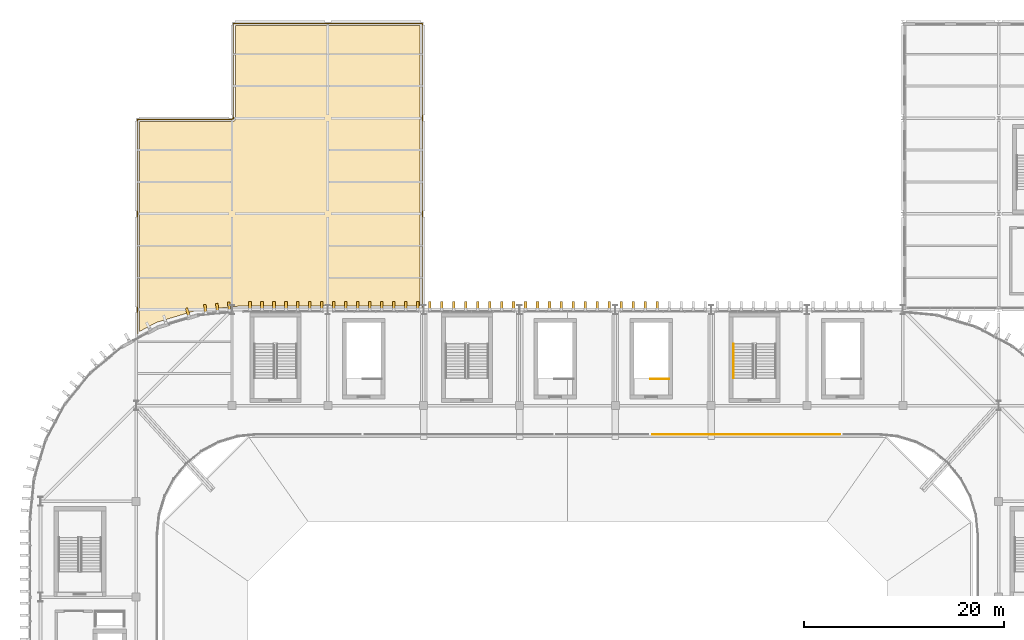
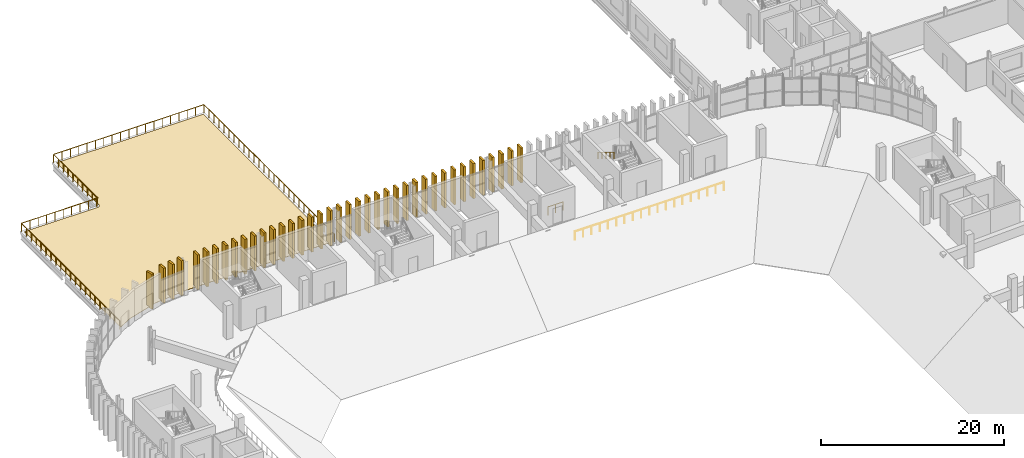
# One storey, part 65 of 69: 40 coverings, 4 railings.
"""IFC4 building model written with IfcOpenShell, lengths in metres."""

from ifc_helpers import new_model, si_unit, direction, frame, origin, origin_2d, place, context, subcontext, project, spatial, polyline, rectangle, circle, outline, extrude, material, layer, layer_set, material_profile, profile_set, type_object, element, save


model = new_model("IFC4")

# Units and contexts
model_context = context("Model", 3, precision=1e-05, world=origin(), true_north=direction((0.0, 1.0)))
body_context = subcontext(model_context, "Body", "Model", "MODEL_VIEW")
ifc_project = project(units=[si_unit("LENGTHUNIT", "METRE"), si_unit("AREAUNIT", "SQUARE_METRE"), si_unit("VOLUMEUNIT", "CUBIC_METRE"), si_unit("PLANEANGLEUNIT", "RADIAN"), si_unit("MASSUNIT", "GRAM", prefix="KILO")], contexts=[model_context])

# Site, building, storey
site_placement = place(None, origin())
site = spatial("IfcSite", under=ifc_project, at=site_placement, CompositionType="ELEMENT")
building_placement = place(site_placement, origin())
building = spatial("IfcBuilding", under=site, at=building_placement, Name="Caelomonte Colonnade Arena", CompositionType="ELEMENT")
storey_placement = place(building_placement, frame((0.0, 0.0, 18.60009765625)))
storey = spatial("IfcBuildingStorey", under=building, at=storey_placement, Name="L04", CompositionType="ELEMENT", Elevation=18.60009765625)

# Coverings
ifc_material_1 = material(Name="Travertine colonnade arrival paving", Category="masonry")
ifc_layer = layer(ifc_material_1, 0.0400390625)
ifc_layer_set = layer_set([ifc_layer], Name="Travertine colonnade arrival paving")
covering_type_1 = type_object("IfcCoveringType", Name="ENV-CV-PAV25", PredefinedType="FLOORING", material=ifc_layer_set)
covering_placement = place(storey_placement, origin())
element("IfcCovering", 1, at=covering_placement, inside=storey, type_object=covering_type_1, Name="North-West Hospitality Terrace travertine terrace paving 4", PredefinedType="FLOORING", context=body_context, shape_type="SweptSolid", body=[
    extrude(outline(polyline([(95.64990234375, 115.550048828125), (95.64990234375, 143.64990234375), (77.14990234375, 143.64990234375), (77.14990234375, 134.39990234375), (77.148193359375, 134.36572265625), (77.143310546875, 134.331787109375), (77.135009765625, 134.29833984375), (77.123291015625, 134.26611328125), (77.108642578125, 134.235107421875), (77.091064453125, 134.20556640625), (77.070556640625, 134.177978515625), (77.047607421875, 134.152587890625), (77.02197265625, 134.12939453125), (76.994384765625, 134.10888671875), (76.965087890625, 134.09130859375), (76.933837890625, 134.07666015625), (76.901611328125, 134.065185546875), (76.868408203125, 134.056640625), (76.834228515625, 134.0517578125), (76.800048828125, 134.050048828125), (67.550048828125, 134.050048828125), (67.550048828125, 113.029052734375), (69.198486328125, 113.91015625), (69.229736328125, 113.9248046875), (69.261962890625, 113.936279296875), (73.201416015625, 115.13134765625), (73.23486328125, 115.139892578125), (73.268798828125, 115.144775390625), (77.36572265625, 115.54833984375), (77.39990234375, 115.550048828125), (95.64990234375, 115.550048828125)])), origin(), (0.0, 0.0, 1.0), 0.039794921875),
])
ifc_material_2 = material(Name="Precast travertine cladding", Category="masonry")
ifc_material_profile = material_profile(ifc_material_2, rectangle(XDim=0.260009765625, YDim=0.85009765625, at=origin_2d()), Name="FIN260X850")
ifc_profile_set = profile_set([ifc_material_profile], Name="Precast travertine cladding")
covering_type_2 = type_object("IfcCoveringType", Name="ENV-FN-SHAFT", PredefinedType="CLADDING", material=ifc_profile_set)
for number, where, z_axis, x_axis, name in (
    (2, (119.39990234375, 115.62109375, -0.16015625), (0.0, 0.0, 1.0), (1.0, 0.0, 0.0), "V1 L04 classical travertine vertical fin 112"),
    (3, (118.199951171875, 115.62109375, -0.16015625), (0.0, 0.0, 1.0), (1.0, 0.0, 0.0), "V1 L04 classical travertine vertical fin 113"),
    (4, (117.0, 115.62109375, -0.16015625), (0.0, 0.0, 1.0), (1.0, 0.0, 0.0), "V1 L04 classical travertine vertical fin 114"),
    (5, (115.800048828125, 115.62109375, -0.16015625), (0.0, 0.0, 1.0), (1.0, 0.0, 0.0), "V1 L04 classical travertine vertical fin 115"),
    (6, (114.60009765625, 115.62109375, -0.16015625), (0.0, 0.0, 1.0), (1.0, 0.0, 0.0), "V1 L04 classical travertine vertical fin 116"),
    (7, (113.39990234375, 115.62109375, -0.16015625), (0.0, 0.0, 1.0), (1.0, 0.0, 0.0), "V1 L04 classical travertine vertical fin 117"),
    (8, (112.199951171875, 115.62109375, -0.16015625), (0.0, 0.0, 1.0), (1.0, 0.0, 0.0), "V1 L04 classical travertine vertical fin 118"),
    (9, (111.0, 115.62109375, -0.16015625), (0.0, 0.0, 1.0), (1.0, 0.0, 0.0), "V1 L04 classical travertine vertical fin 119"),
    (10, (109.800048828125, 115.62109375, -0.16015625), (0.0, 0.0, 1.0), (1.0, 0.0, 0.0), "V1 L04 classical travertine vertical fin 120"),
    (11, (108.60009765625, 115.62109375, -0.16015625), (0.0, 0.0, 1.0), (1.0, 0.0, 0.0), "V1 L04 classical travertine vertical fin 121"),
    (12, (107.39990234375, 115.62109375, -0.16015625), (0.0, 0.0, 1.0), (1.0, 0.0, 0.0), "V1 L04 classical travertine vertical fin 122"),
    (13, (106.199951171875, 115.62109375, -0.16015625), (0.0, 0.0, 1.0), (1.0, 0.0, 0.0), "V1 L04 classical travertine vertical fin 123"),
    (14, (105.0, 115.62109375, -0.16015625), (0.0, 0.0, 1.0), (1.0, 0.0, 0.0), "V1 L04 classical travertine vertical fin 124"),
    (15, (103.800048828125, 115.62109375, -0.16015625), (0.0, 0.0, 1.0), (1.0, 0.0, 0.0), "V1 L04 classical travertine vertical fin 125"),
    (16, (102.60009765625, 115.62109375, -0.16015625), (0.0, 0.0, 1.0), (1.0, 0.0, 0.0), "V1 L04 classical travertine vertical fin 126"),
    (17, (101.39990234375, 115.62109375, -0.16015625), (0.0, 0.0, 1.0), (1.0, 0.0, 0.0), "V1 L04 classical travertine vertical fin 127"),
    (18, (100.199951171875, 115.62109375, -0.16015625), (0.0, 0.0, 1.0), (1.0, 0.0, 0.0), "V1 L04 classical travertine vertical fin 128"),
    (19, (99.0, 115.62109375, -0.16015625), (0.0, 0.0, 1.0), (1.0, 0.0, 0.0), "V1 L04 classical travertine vertical fin 129"),
    (20, (97.800048828125, 115.62109375, -0.16015625), (0.0, 0.0, 1.0), (1.0, 0.0, 0.0), "V1 L04 classical travertine vertical fin 130"),
    (21, (96.60009765625, 115.62109375, -0.16015625), (0.0, 0.0, 1.0), (1.0, 0.0, 0.0), "V1 L04 classical travertine vertical fin 131"),
    (22, (95.39990234375, 115.62109375, -0.16015625), (0.0, 0.0, 1.0), (1.0, 0.0, 0.0), "V1 L04 classical travertine vertical fin 132"),
    (23, (94.199951171875, 115.62109375, -0.16015625), (0.0, 0.0, 1.0), (1.0, 0.0, 0.0), "V1 L04 classical travertine vertical fin 133"),
    (24, (93.0, 115.62109375, -0.16015625), (0.0, 0.0, 1.0), (1.0, 0.0, 0.0), "V1 L04 classical travertine vertical fin 134"),
    (25, (91.800048828125, 115.62109375, -0.16015625), (0.0, 0.0, 1.0), (1.0, 0.0, 0.0), "V1 L04 classical travertine vertical fin 135"),
    (26, (90.60009765625, 115.62109375, -0.16015625), (0.0, 0.0, 1.0), (1.0, 0.0, 0.0), "V1 L04 classical travertine vertical fin 136"),
    (27, (89.39990234375, 115.62109375, -0.16015625), (0.0, 0.0, 1.0), (1.0, 0.0, 0.0), "V1 L04 classical travertine vertical fin 137"),
    (28, (88.199951171875, 115.62109375, -0.16015625), (0.0, 0.0, 1.0), (1.0, 0.0, 0.0), "V1 L04 classical travertine vertical fin 138"),
    (29, (87.0, 115.62109375, -0.16015625), (0.0, 0.0, 1.0), (1.0, 0.0, 0.0), "V1 L04 classical travertine vertical fin 139"),
    (30, (85.800048828125, 115.62109375, -0.16015625), (0.0, 0.0, 1.0), (1.0, 0.0, 0.0), "V1 L04 classical travertine vertical fin 140"),
    (31, (84.60009765625, 115.62109375, -0.16015625), (0.0, 0.0, 1.0), (1.0, 0.0, 0.0), "V1 L04 classical travertine vertical fin 141"),
    (32, (83.39990234375, 115.62109375, -0.16015625), (0.0, 0.0, 1.0), (1.0, 0.0, 0.0), "V1 L04 classical travertine vertical fin 142"),
    (33, (82.199951171875, 115.62109375, -0.16015625), (0.0, 0.0, 1.0), (1.0, 0.0, 0.0), "V1 L04 classical travertine vertical fin 143"),
    (34, (81.0, 115.62109375, -0.16015625), (0.0, 0.0, 1.0), (1.0, 0.0, 0.0), "V1 L04 classical travertine vertical fin 144"),
    (35, (79.800048828125, 115.62109375, -0.16015625), (0.0, 0.0, 1.0), (1.0, 0.0, 0.0), "V1 L04 classical travertine vertical fin 145"),
    (36, (78.60009765625, 115.62109375, -0.16015625), (0.0, 0.0, 1.0), (1.0, 0.0, 0.0), "V1 L04 classical travertine vertical fin 146"),
    (37, (76.50439453125, 115.534912109375, -0.16015625), (0.0, 0.0, 1.0), (0.995184897743, 0.098015403404, 0.0), "V1 L04 classical travertine vertical fin 147"),
    (38, (75.310302734375, 115.417236328125, -0.16015625), (0.0, 0.0, 1.0), (0.995184897743, 0.098015403404, 0.0), "V1 L04 classical travertine vertical fin 148"),
    (39, (74.1162109375, 115.299560546875, -0.16015625), (0.0, 0.0, 1.0), (0.995184897743, 0.098015403404, 0.0), "V1 L04 classical travertine vertical fin 149"),
    (40, (72.359619140625, 114.9501953125, -0.16015625), (0.0, 0.0, 1.0), (0.956942868907, 0.290276326364, 0.0), "V1 L04 classical travertine vertical fin 150"),
):
    element("IfcCovering", number, at=place(storey_placement, frame(where, z_axis=z_axis, x_axis=x_axis)), inside=storey, type_object=covering_type_2, Name=name, PredefinedType="CLADDING", context=body_context, shape_type="SweptSolid", body=[
        extrude(rectangle(XDim=0.260009765625, YDim=0.85009765625, at=origin_2d()), origin(), (0.0, 0.0, 1.0), 4.66015625),
    ])

# Railings
ifc_material_3 = material(Name="Travertine limestone and bronze balustrade", Category="masonry")
railing_type_1 = type_object("IfcRailingType", Name="ENV-RL-BAL1", PredefinedType="BALUSTRADE", material=ifc_material_3)
railing_1_placement = place(storey_placement, frame((67.320068359375, 112.82666015625, 0.0)))
element("IfcRailing", 41, at=railing_1_placement, inside=storey, type_object=railing_type_1, Name="North-West Hospitality Terrace perimeter guard 1", PredefinedType="BALUSTRADE", context=body_context, shape_type="SweptSolid", body=[
    extrude(circle(Radius=0.02392578125, at=origin_2d()), frame((0.0, 0.0, 1.09619140625), z_axis=(0.0, 1.0, 0.0), x_axis=(-1.0, 0.0, 0.0)), (0.0, 0.0, 1.0), 21.422119140625),
    extrude(circle(Radius=0.02392578125, at=origin_2d()), frame((0.03125, 21.453369140625, 1.09619140625), z_axis=(1.0, 0.0, 0.0), x_axis=(0.0, 1.0, 0.0)), (0.0, 0.0, 1.0), 9.41748046875),
    extrude(circle(Radius=0.02392578125, at=origin_2d()), frame((9.51123046875, 21.45458984375, 1.09619140625), z_axis=(0.999133073092, 0.041630544712, 0.0), x_axis=(-0.041630544712, 0.999133073092, 0.0)), (0.0, 0.0, 1.0), 0.050048828125),
    extrude(circle(Radius=0.02392578125, at=origin_2d()), frame((9.522705078125, 21.458251953125, 1.09619140625), z_axis=(0.989532981063, 0.144306893072, 0.0), x_axis=(-0.144306893072, 0.989532981063, 0.0)), (0.0, 0.0, 1.0), 0.050048828125),
    extrude(circle(Radius=0.02392578125, at=origin_2d()), frame((9.53369140625, 21.46337890625, 1.09619140625), z_axis=(0.967617272397, 0.252421897147, 0.0), x_axis=(-0.252421897147, 0.967617272397, 0.0)), (0.0, 0.0, 1.0), 0.050048828125),
    extrude(circle(Radius=0.02392578125, at=origin_2d()), frame((9.544189453125, 21.46875, 1.09619140625), z_axis=(0.944496796706, 0.328520624941, 0.0), x_axis=(-0.328520624941, 0.944496796706, 0.0)), (0.0, 0.0, 1.0), 0.050048828125),
    extrude(circle(Radius=0.02392578125, at=origin_2d()), frame((9.55419921875, 21.475830078125, 1.09619140625), z_axis=(0.902481037784, 0.430729586215, 0.0), x_axis=(-0.430729586215, 0.902481037784, 0.0)), (0.0, 0.0, 1.0), 0.050048828125),
    extrude(circle(Radius=0.02392578125, at=origin_2d()), frame((9.563232421875, 21.48388671875, 1.09619140625), z_axis=(0.853796175794, 0.520607424265, 0.0), x_axis=(-0.520607424265, 0.853796175794, 0.0)), (0.0, 0.0, 1.0), 0.050048828125),
    extrude(circle(Radius=0.02392578125, at=origin_2d()), frame((9.572021484375, 21.491943359375, 1.09619140625), z_axis=(0.812323733592, 0.583206783091, 0.0), x_axis=(-0.583206783091, 0.812323733592, 0.0)), (0.0, 0.0, 1.0), 0.050048828125),
    extrude(circle(Radius=0.02392578125, at=origin_2d()), frame((9.5791015625, 21.501708984375, 1.09619140625), z_axis=(0.737154140201, 0.675724628517, 0.0), x_axis=(-0.675724628517, 0.737154140201, 0.0)), (0.0, 0.0, 1.0), 0.050048828125),
    extrude(circle(Radius=0.02392578125, at=origin_2d()), frame((9.585693359375, 21.511962890625, 1.09619140625), z_axis=(0.66436383883, 0.747409318684, 0.0), x_axis=(-0.747409318684, 0.66436383883, 0.0)), (0.0, 0.0, 1.0), 0.050048828125),
    extrude(circle(Radius=0.02392578125, at=origin_2d()), frame((9.591796875, 21.522216796875, 1.09619140625), z_axis=(0.60667331935, 0.794951246045, 0.0), x_axis=(-0.794951246045, 0.60667331935, 0.0)), (0.0, 0.0, 1.0), 0.050048828125),
    extrude(circle(Radius=0.02392578125, at=origin_2d()), frame((9.595458984375, 21.53369140625, 1.09619140625), z_axis=(0.496138938357, 0.868243142124, 0.0), x_axis=(-0.868243142124, 0.496138938357, 0.0)), (0.0, 0.0, 1.0), 0.050048828125),
    extrude(circle(Radius=0.02392578125, at=origin_2d()), frame((9.599365234375, 21.544921875, 1.09619140625), z_axis=(0.438835298505, 0.898567515986, 0.0), x_axis=(-0.898567515986, 0.438835298505, 0.0)), (0.0, 0.0, 1.0), 0.050048828125),
    extrude(circle(Radius=0.02392578125, at=origin_2d()), frame((9.60107421875, 21.556884765625, 1.09619140625), z_axis=(0.328520624941, 0.944496796706, 0.0), x_axis=(-0.944496796706, 0.328520624941, 0.0)), (0.0, 0.0, 1.0), 0.050048828125),
    extrude(circle(Radius=0.02392578125, at=origin_2d()), frame((9.6025390625, 21.56884765625, 1.09619140625), z_axis=(0.247383245266, 0.968917710624, 0.0), x_axis=(-0.968917710624, 0.247383245266, 0.0)), (0.0, 0.0, 1.0), 0.050048828125),
    extrude(circle(Radius=0.02392578125, at=origin_2d()), frame((9.602294921875, 21.5810546875, 1.09619140625), z_axis=(0.147311303089, 0.989090177882, 0.0), x_axis=(-0.989090177882, 0.147311303089, 0.0)), (0.0, 0.0, 1.0), 0.050048828125),
    extrude(circle(Radius=0.02392578125, at=origin_2d()), frame((9.6005859375, 21.5927734375, 1.09619140625), z_axis=(0.041630544712, 0.999133073092, 0.0), x_axis=(-0.999133073092, 0.041630544712, 0.0)), (0.0, 0.0, 1.0), 0.050048828125),
    extrude(circle(Radius=0.02392578125, at=origin_2d()), frame((9.599853515625, 21.6044921875, 1.09619140625), z_axis=(0.0, 1.0, 0.0), x_axis=(-1.0, 0.0, 0.0)), (0.0, 0.0, 1.0), 9.41748046875),
    extrude(circle(Radius=0.02392578125, at=origin_2d()), frame((9.631103515625, 31.05322265625, 1.09619140625), z_axis=(1.0, 0.0, 0.0), x_axis=(0.0, 1.0, 0.0)), (0.0, 0.0, 1.0), 18.8974609375),
    extrude(circle(Radius=0.02392578125, at=origin_2d()), frame((28.559814453125, 31.02197265625, 1.09619140625), z_axis=(0.0, -1.0, 0.0), x_axis=(1.0, 0.0, 0.0)), (0.0, 0.0, 1.0), 28.36865234375),
    extrude(circle(Radius=0.02099609375, at=origin_2d()), origin(), (0.0, 0.0, 1.0), 1.068115234375),
    extrude(circle(Radius=0.02099609375, at=origin_2d()), frame((0.0, 1.07275390625, 0.0)), (0.0, 0.0, 1.0), 1.068115234375),
    extrude(circle(Radius=0.02099609375, at=origin_2d()), frame((0.0, 2.145263671875, 0.0)), (0.0, 0.0, 1.0), 1.068115234375),
    extrude(circle(Radius=0.02099609375, at=origin_2d()), frame((0.0, 3.218017578125, 0.0)), (0.0, 0.0, 1.0), 1.068115234375),
    extrude(circle(Radius=0.02099609375, at=origin_2d()), frame((0.0, 4.290771484375, 0.0)), (0.0, 0.0, 1.0), 1.068115234375),
    extrude(circle(Radius=0.02099609375, at=origin_2d()), frame((0.0, 5.36328125, 0.0)), (0.0, 0.0, 1.0), 1.068115234375),
    extrude(circle(Radius=0.02099609375, at=origin_2d()), frame((0.0, 6.43603515625, 0.0)), (0.0, 0.0, 1.0), 1.068115234375),
    extrude(circle(Radius=0.02099609375, at=origin_2d()), frame((0.0, 7.5087890625, 0.0)), (0.0, 0.0, 1.0), 1.068115234375),
    extrude(circle(Radius=0.02099609375, at=origin_2d()), frame((0.0, 8.581298828125, 0.0)), (0.0, 0.0, 1.0), 1.068115234375),
    extrude(circle(Radius=0.02099609375, at=origin_2d()), frame((0.0, 9.654052734375, 0.0)), (0.0, 0.0, 1.0), 1.068115234375),
    extrude(circle(Radius=0.02099609375, at=origin_2d()), frame((0.0, 10.7265625, 0.0)), (0.0, 0.0, 1.0), 1.068115234375),
    extrude(circle(Radius=0.02099609375, at=origin_2d()), frame((0.0, 11.79931640625, 0.0)), (0.0, 0.0, 1.0), 1.068115234375),
    extrude(circle(Radius=0.02099609375, at=origin_2d()), frame((0.0, 12.8720703125, 0.0)), (0.0, 0.0, 1.0), 1.068115234375),
    extrude(circle(Radius=0.02099609375, at=origin_2d()), frame((0.0, 13.944580078125, 0.0)), (0.0, 0.0, 1.0), 1.068115234375),
    extrude(circle(Radius=0.02099609375, at=origin_2d()), frame((0.0, 15.017333984375, 0.0)), (0.0, 0.0, 1.0), 1.068115234375),
    extrude(circle(Radius=0.02099609375, at=origin_2d()), frame((0.0, 16.090087890625, 0.0)), (0.0, 0.0, 1.0), 1.068115234375),
    extrude(circle(Radius=0.02099609375, at=origin_2d()), frame((0.0, 17.16259765625, 0.0)), (0.0, 0.0, 1.0), 1.068115234375),
    extrude(circle(Radius=0.02099609375, at=origin_2d()), frame((0.0, 18.2353515625, 0.0)), (0.0, 0.0, 1.0), 1.068115234375),
    extrude(circle(Radius=0.02099609375, at=origin_2d()), frame((0.0, 19.30810546875, 0.0)), (0.0, 0.0, 1.0), 1.068115234375),
    extrude(circle(Radius=0.02099609375, at=origin_2d()), frame((0.0, 20.380615234375, 0.0)), (0.0, 0.0, 1.0), 1.068115234375),
    extrude(circle(Radius=0.02099609375, at=origin_2d()), frame((0.0, 21.453369140625, 0.0)), (0.0, 0.0, 1.0), 1.068115234375),
    extrude(circle(Radius=0.02099609375, at=origin_2d()), frame((1.05322265625, 21.453369140625, 0.0)), (0.0, 0.0, 1.0), 1.068115234375),
    extrude(circle(Radius=0.02099609375, at=origin_2d()), frame((2.106689453125, 21.453369140625, 0.0)), (0.0, 0.0, 1.0), 1.068115234375),
    extrude(circle(Radius=0.02099609375, at=origin_2d()), frame((3.159912109375, 21.453369140625, 0.0)), (0.0, 0.0, 1.0), 1.068115234375),
    extrude(circle(Radius=0.02099609375, at=origin_2d()), frame((4.21337890625, 21.453369140625, 0.0)), (0.0, 0.0, 1.0), 1.068115234375),
    extrude(circle(Radius=0.02099609375, at=origin_2d()), frame((5.2666015625, 21.453369140625, 0.0)), (0.0, 0.0, 1.0), 1.068115234375),
    extrude(circle(Radius=0.02099609375, at=origin_2d()), frame((6.320068359375, 21.453369140625, 0.0)), (0.0, 0.0, 1.0), 1.068115234375),
    extrude(circle(Radius=0.02099609375, at=origin_2d()), frame((7.373291015625, 21.453369140625, 0.0)), (0.0, 0.0, 1.0), 1.068115234375),
    extrude(circle(Radius=0.02099609375, at=origin_2d()), frame((8.4267578125, 21.453369140625, 0.0)), (0.0, 0.0, 1.0), 1.068115234375),
    extrude(circle(Radius=0.02099609375, at=origin_2d()), frame((9.47998046875, 21.453369140625, 0.0)), (0.0, 0.0, 1.0), 1.068115234375),
    extrude(circle(Radius=0.02099609375, at=origin_2d()), frame((9.53662109375, 21.467529296875, 0.0)), (0.0, 0.0, 1.0), 1.068115234375),
    extrude(circle(Radius=0.02099609375, at=origin_2d()), frame((9.579833984375, 21.506591796875, 0.0)), (0.0, 0.0, 1.0), 1.068115234375),
    extrude(circle(Radius=0.02099609375, at=origin_2d()), frame((9.599365234375, 21.5615234375, 0.0)), (0.0, 0.0, 1.0), 1.068115234375),
    extrude(circle(Radius=0.02099609375, at=origin_2d()), frame((9.599853515625, 22.62646484375, 0.0)), (0.0, 0.0, 1.0), 1.068115234375),
    extrude(circle(Radius=0.02099609375, at=origin_2d()), frame((9.599853515625, 23.679931640625, 0.0)), (0.0, 0.0, 1.0), 1.068115234375),
    extrude(circle(Radius=0.02099609375, at=origin_2d()), frame((9.599853515625, 24.733154296875, 0.0)), (0.0, 0.0, 1.0), 1.068115234375),
    extrude(circle(Radius=0.02099609375, at=origin_2d()), frame((9.599853515625, 25.78662109375, 0.0)), (0.0, 0.0, 1.0), 1.068115234375),
    extrude(circle(Radius=0.02099609375, at=origin_2d()), frame((9.599853515625, 26.83984375, 0.0)), (0.0, 0.0, 1.0), 1.068115234375),
    extrude(circle(Radius=0.02099609375, at=origin_2d()), frame((9.599853515625, 27.893310546875, 0.0)), (0.0, 0.0, 1.0), 1.068115234375),
    extrude(circle(Radius=0.02099609375, at=origin_2d()), frame((9.599853515625, 28.946533203125, 0.0)), (0.0, 0.0, 1.0), 1.068115234375),
    extrude(circle(Radius=0.02099609375, at=origin_2d()), frame((9.599853515625, 30.0, 0.0)), (0.0, 0.0, 1.0), 1.068115234375),
    extrude(circle(Radius=0.02099609375, at=origin_2d()), frame((9.599853515625, 31.05322265625, 0.0)), (0.0, 0.0, 1.0), 1.068115234375),
    extrude(circle(Radius=0.02099609375, at=origin_2d()), frame((10.653076171875, 31.05322265625, 0.0)), (0.0, 0.0, 1.0), 1.068115234375),
    extrude(circle(Radius=0.02099609375, at=origin_2d()), frame((11.70654296875, 31.05322265625, 0.0)), (0.0, 0.0, 1.0), 1.068115234375),
    extrude(circle(Radius=0.02099609375, at=origin_2d()), frame((12.759765625, 31.05322265625, 0.0)), (0.0, 0.0, 1.0), 1.068115234375),
    extrude(circle(Radius=0.02099609375, at=origin_2d()), frame((13.813232421875, 31.05322265625, 0.0)), (0.0, 0.0, 1.0), 1.068115234375),
    extrude(circle(Radius=0.02099609375, at=origin_2d()), frame((14.866455078125, 31.05322265625, 0.0)), (0.0, 0.0, 1.0), 1.068115234375),
    extrude(circle(Radius=0.02099609375, at=origin_2d()), frame((15.919921875, 31.05322265625, 0.0)), (0.0, 0.0, 1.0), 1.068115234375),
    extrude(circle(Radius=0.02099609375, at=origin_2d()), frame((16.97314453125, 31.05322265625, 0.0)), (0.0, 0.0, 1.0), 1.068115234375),
    extrude(circle(Radius=0.02099609375, at=origin_2d()), frame((18.026611328125, 31.05322265625, 0.0)), (0.0, 0.0, 1.0), 1.068115234375),
    extrude(circle(Radius=0.02099609375, at=origin_2d()), frame((19.079833984375, 31.05322265625, 0.0)), (0.0, 0.0, 1.0), 1.068115234375),
    extrude(circle(Radius=0.02099609375, at=origin_2d()), frame((20.133056640625, 31.05322265625, 0.0)), (0.0, 0.0, 1.0), 1.068115234375),
    extrude(circle(Radius=0.02099609375, at=origin_2d()), frame((21.1865234375, 31.05322265625, 0.0)), (0.0, 0.0, 1.0), 1.068115234375),
    extrude(circle(Radius=0.02099609375, at=origin_2d()), frame((22.23974609375, 31.05322265625, 0.0)), (0.0, 0.0, 1.0), 1.068115234375),
    extrude(circle(Radius=0.02099609375, at=origin_2d()), frame((23.293212890625, 31.05322265625, 0.0)), (0.0, 0.0, 1.0), 1.068115234375),
    extrude(circle(Radius=0.02099609375, at=origin_2d()), frame((24.346435546875, 31.05322265625, 0.0)), (0.0, 0.0, 1.0), 1.068115234375),
    extrude(circle(Radius=0.02099609375, at=origin_2d()), frame((25.39990234375, 31.05322265625, 0.0)), (0.0, 0.0, 1.0), 1.068115234375),
    extrude(circle(Radius=0.02099609375, at=origin_2d()), frame((26.453125, 31.05322265625, 0.0)), (0.0, 0.0, 1.0), 1.068115234375),
    extrude(circle(Radius=0.02099609375, at=origin_2d()), frame((27.506591796875, 31.05322265625, 0.0)), (0.0, 0.0, 1.0), 1.068115234375),
    extrude(circle(Radius=0.02099609375, at=origin_2d()), frame((28.559814453125, 31.05322265625, 0.0)), (0.0, 0.0, 1.0), 1.068115234375),
    extrude(circle(Radius=0.02099609375, at=origin_2d()), frame((28.559814453125, 29.9609375, 0.0)), (0.0, 0.0, 1.0), 1.068115234375),
    extrude(circle(Radius=0.02099609375, at=origin_2d()), frame((28.559814453125, 28.86865234375, 0.0)), (0.0, 0.0, 1.0), 1.068115234375),
    extrude(circle(Radius=0.02099609375, at=origin_2d()), frame((28.559814453125, 27.7763671875, 0.0)), (0.0, 0.0, 1.0), 1.068115234375),
    extrude(circle(Radius=0.02099609375, at=origin_2d()), frame((28.559814453125, 26.68408203125, 0.0)), (0.0, 0.0, 1.0), 1.068115234375),
    extrude(circle(Radius=0.02099609375, at=origin_2d()), frame((28.559814453125, 25.591796875, 0.0)), (0.0, 0.0, 1.0), 1.068115234375),
    extrude(circle(Radius=0.02099609375, at=origin_2d()), frame((28.559814453125, 24.49951171875, 0.0)), (0.0, 0.0, 1.0), 1.068115234375),
    extrude(circle(Radius=0.02099609375, at=origin_2d()), frame((28.559814453125, 23.406982421875, 0.0)), (0.0, 0.0, 1.0), 1.068115234375),
    extrude(circle(Radius=0.02099609375, at=origin_2d()), frame((28.559814453125, 22.314697265625, 0.0)), (0.0, 0.0, 1.0), 1.068115234375),
    extrude(circle(Radius=0.02099609375, at=origin_2d()), frame((28.559814453125, 21.222412109375, 0.0)), (0.0, 0.0, 1.0), 1.068115234375),
    extrude(circle(Radius=0.02099609375, at=origin_2d()), frame((28.559814453125, 20.130126953125, 0.0)), (0.0, 0.0, 1.0), 1.068115234375),
    extrude(circle(Radius=0.02099609375, at=origin_2d()), frame((28.559814453125, 19.037841796875, 0.0)), (0.0, 0.0, 1.0), 1.068115234375),
    extrude(circle(Radius=0.02099609375, at=origin_2d()), frame((28.559814453125, 17.945556640625, 0.0)), (0.0, 0.0, 1.0), 1.068115234375),
    extrude(circle(Radius=0.02099609375, at=origin_2d()), frame((28.559814453125, 16.853271484375, 0.0)), (0.0, 0.0, 1.0), 1.068115234375),
    extrude(circle(Radius=0.02099609375, at=origin_2d()), frame((28.559814453125, 15.760986328125, 0.0)), (0.0, 0.0, 1.0), 1.068115234375),
    extrude(circle(Radius=0.02099609375, at=origin_2d()), frame((28.559814453125, 14.668701171875, 0.0)), (0.0, 0.0, 1.0), 1.068115234375),
    extrude(circle(Radius=0.02099609375, at=origin_2d()), frame((28.559814453125, 13.576416015625, 0.0)), (0.0, 0.0, 1.0), 1.068115234375),
    extrude(circle(Radius=0.02099609375, at=origin_2d()), frame((28.559814453125, 12.484130859375, 0.0)), (0.0, 0.0, 1.0), 1.068115234375),
    extrude(circle(Radius=0.02099609375, at=origin_2d()), frame((28.559814453125, 11.391845703125, 0.0)), (0.0, 0.0, 1.0), 1.068115234375),
    extrude(circle(Radius=0.02099609375, at=origin_2d()), frame((28.559814453125, 10.299560546875, 0.0)), (0.0, 0.0, 1.0), 1.068115234375),
    extrude(circle(Radius=0.02099609375, at=origin_2d()), frame((28.559814453125, 9.20703125, 0.0)), (0.0, 0.0, 1.0), 1.068115234375),
    extrude(circle(Radius=0.02099609375, at=origin_2d()), frame((28.559814453125, 8.11474609375, 0.0)), (0.0, 0.0, 1.0), 1.068115234375),
    extrude(circle(Radius=0.02099609375, at=origin_2d()), frame((28.559814453125, 7.0224609375, 0.0)), (0.0, 0.0, 1.0), 1.068115234375),
    extrude(circle(Radius=0.02099609375, at=origin_2d()), frame((28.559814453125, 5.93017578125, 0.0)), (0.0, 0.0, 1.0), 1.068115234375),
    extrude(circle(Radius=0.02099609375, at=origin_2d()), frame((28.559814453125, 4.837890625, 0.0)), (0.0, 0.0, 1.0), 1.068115234375),
    extrude(circle(Radius=0.02099609375, at=origin_2d()), frame((28.559814453125, 3.74560546875, 0.0)), (0.0, 0.0, 1.0), 1.068115234375),
    extrude(circle(Radius=0.02099609375, at=origin_2d()), frame((28.559814453125, 2.6533203125, 0.0)), (0.0, 0.0, 1.0), 1.068115234375),
])
ifc_material_4 = material(Name="Painted galvanized steel handrail and posts", Category="steel")
railing_type_2 = type_object("IfcRailingType", Name="ENV-RL-GRD1", PredefinedType="GUARDRAIL", material=ifc_material_4)
railing_2_placement = place(storey_placement, frame((137.693115234375, 102.719970703125, 0.0)))
element("IfcRailing", 42, at=railing_2_placement, inside=storey, type_object=railing_type_2, Name="L04 upper concourse bowl guard 2", PredefinedType="GUARDRAIL", context=body_context, shape_type="SweptSolid", body=[
    extrude(circle(Radius=0.02392578125, at=origin_2d()), frame((0.0, 0.0, 1.076171875), z_axis=(-1.0, 0.0, 0.0), x_axis=(0.0, -1.0, 0.0)), (0.0, 0.0, 1.0), 18.7861328125),
    extrude(circle(Radius=0.02099609375, at=origin_2d()), origin(), (0.0, 0.0, 1.0), 1.048095703125),
    extrude(circle(Radius=0.02099609375, at=origin_2d()), frame((-1.043701171875, 0.0, 0.0)), (0.0, 0.0, 1.0), 1.048095703125),
    extrude(circle(Radius=0.02099609375, at=origin_2d()), frame((-2.08740234375, 0.0, 0.0)), (0.0, 0.0, 1.0), 1.048095703125),
    extrude(circle(Radius=0.02099609375, at=origin_2d()), frame((-3.131103515625, 0.0, 0.0)), (0.0, 0.0, 1.0), 1.048095703125),
    extrude(circle(Radius=0.02099609375, at=origin_2d()), frame((-4.1748046875, 0.0, 0.0)), (0.0, 0.0, 1.0), 1.048095703125),
    extrude(circle(Radius=0.02099609375, at=origin_2d()), frame((-5.21826171875, 0.0, 0.0)), (0.0, 0.0, 1.0), 1.048095703125),
    extrude(circle(Radius=0.02099609375, at=origin_2d()), frame((-6.261962890625, 0.0, 0.0)), (0.0, 0.0, 1.0), 1.048095703125),
    extrude(circle(Radius=0.02099609375, at=origin_2d()), frame((-7.3056640625, 0.0, 0.0)), (0.0, 0.0, 1.0), 1.048095703125),
    extrude(circle(Radius=0.02099609375, at=origin_2d()), frame((-8.349365234375, 0.0, 0.0)), (0.0, 0.0, 1.0), 1.048095703125),
    extrude(circle(Radius=0.02099609375, at=origin_2d()), frame((-9.39306640625, 0.0, 0.0)), (0.0, 0.0, 1.0), 1.048095703125),
    extrude(circle(Radius=0.02099609375, at=origin_2d()), frame((-10.436767578125, 0.0, 0.0)), (0.0, 0.0, 1.0), 1.048095703125),
    extrude(circle(Radius=0.02099609375, at=origin_2d()), frame((-11.48046875, 0.0, 0.0)), (0.0, 0.0, 1.0), 1.048095703125),
    extrude(circle(Radius=0.02099609375, at=origin_2d()), frame((-12.524169921875, 0.0, 0.0)), (0.0, 0.0, 1.0), 1.048095703125),
    extrude(circle(Radius=0.02099609375, at=origin_2d()), frame((-13.56787109375, 0.0, 0.0)), (0.0, 0.0, 1.0), 1.048095703125),
    extrude(circle(Radius=0.02099609375, at=origin_2d()), frame((-14.611328125, 0.0, 0.0)), (0.0, 0.0, 1.0), 1.048095703125),
    extrude(circle(Radius=0.02099609375, at=origin_2d()), frame((-15.655029296875, 0.0, 0.0)), (0.0, 0.0, 1.0), 1.048095703125),
    extrude(circle(Radius=0.02099609375, at=origin_2d()), frame((-16.69873046875, 0.0, 0.0)), (0.0, 0.0, 1.0), 1.048095703125),
    extrude(circle(Radius=0.02099609375, at=origin_2d()), frame((-17.742431640625, 0.0, 0.0)), (0.0, 0.0, 1.0), 1.048095703125),
    extrude(circle(Radius=0.02099609375, at=origin_2d()), frame((-18.7861328125, 0.0, 0.0)), (0.0, 0.0, 1.0), 1.048095703125),
])
ifc_material_5 = material(Name="Painted galvanized steel stair guard", Category="steel")
railing_type_3 = type_object("IfcRailingType", Name="INT-RL-GRD", PredefinedType="GUARDRAIL", material=ifc_material_5)
railing_3_placement = place(storey_placement, frame((120.60009765625, 108.25, 0.0)))
element("IfcRailing", 43, at=railing_3_placement, inside=storey, type_object=railing_type_3, Name="L04 ST-V15 top well guard 1", PredefinedType="GUARDRAIL", context=body_context, shape_type="SweptSolid", body=[
    extrude(circle(Radius=0.02392578125, at=origin_2d()), frame((0.0, 0.0, 1.076171875), z_axis=(-1.0, 0.0, 0.0), x_axis=(0.0, -1.0, 0.0)), (0.0, 0.0, 1.0), 1.900146484375),
    extrude(circle(Radius=0.02099609375, at=origin_2d()), origin(), (0.0, 0.0, 1.0), 1.048095703125),
    extrude(circle(Radius=0.02099609375, at=origin_2d()), frame((-0.9501953125, 0.0, 0.0)), (0.0, 0.0, 1.0), 1.048095703125),
    extrude(circle(Radius=0.02099609375, at=origin_2d()), frame((-1.900146484375, 0.0, 0.0)), (0.0, 0.0, 1.0), 1.048095703125),
])
ifc_material_6 = material(Name="Brushed stainless steel stair handrail", Category="steel")
railing_type_4 = type_object("IfcRailingType", Name="INT-RL-HR", PredefinedType="HANDRAIL", material=ifc_material_6)
railing_4_placement = place(storey_placement, frame((127.050048828125, 111.77001953125, 2.423095703125)))
element("IfcRailing", 44, at=railing_4_placement, inside=storey, type_object=railing_type_4, Name="L04 ST-16 stair handrail 2", PredefinedType="HANDRAIL", context=body_context, shape_type="SweptSolid", body=[
    extrude(circle(Radius=0.02392578125, at=origin_2d()), frame((0.0, 0.0, 0.8759765625), z_axis=(0.0, -0.854729506542, 0.519073665916), x_axis=(1.0, 0.0, 0.0)), (0.0, 0.0, 1.0), 4.001220703125),
    extrude(circle(Radius=0.02099609375, at=origin_2d()), origin(), (0.0, 0.0, 1.0), 0.847900390625),
    extrude(circle(Radius=0.02099609375, at=origin_2d()), frame((0.0, -0.85498046875, 0.519287109375)), (0.0, 0.0, 1.0), 0.847900390625),
    extrude(circle(Radius=0.02099609375, at=origin_2d()), frame((0.0, -1.7099609375, 1.03857421875)), (0.0, 0.0, 1.0), 0.847900390625),
    extrude(circle(Radius=0.02099609375, at=origin_2d()), frame((0.0, -2.56494140625, 1.5576171875)), (0.0, 0.0, 1.0), 0.847900390625),
    extrude(circle(Radius=0.02099609375, at=origin_2d()), frame((0.0, -3.419921875, 2.076904296875)), (0.0, 0.0, 1.0), 0.847900390625),
])

save(model, "model.ifc")
